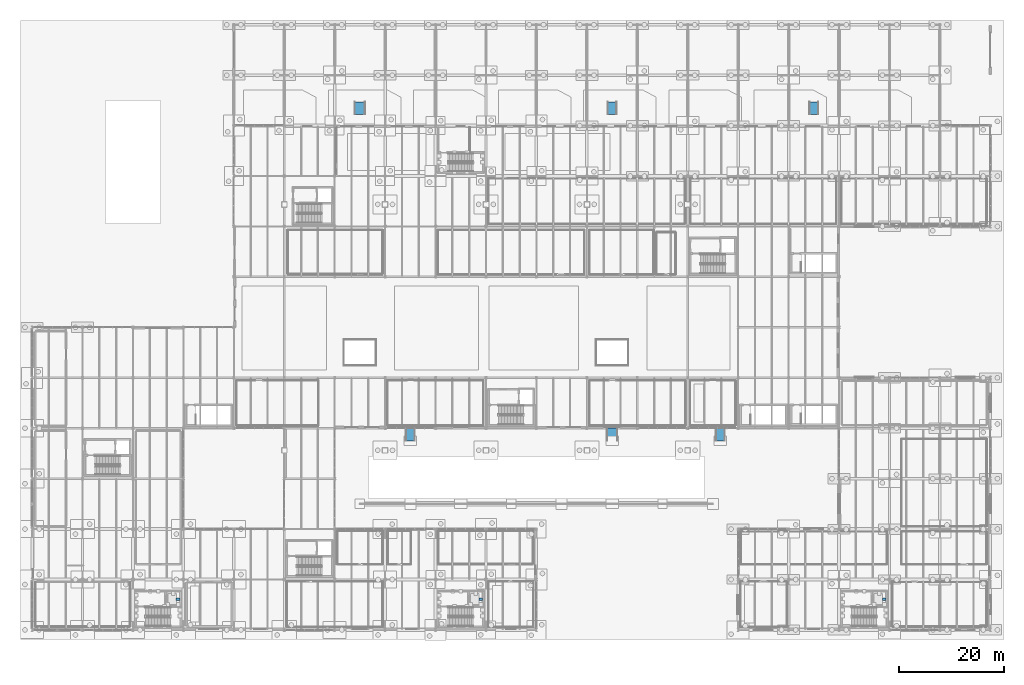
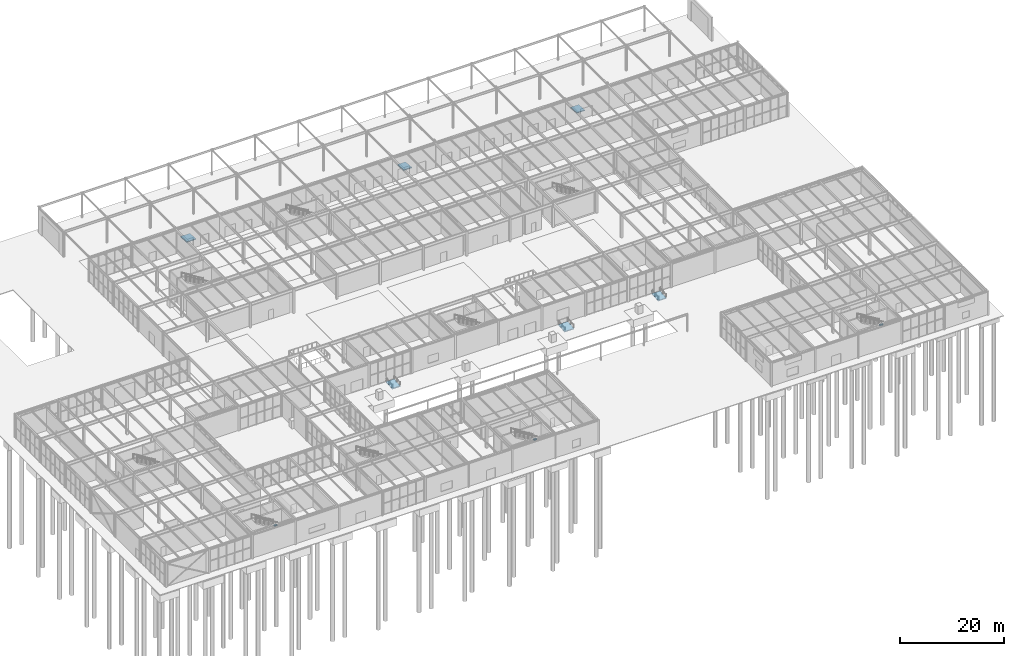
# One storey, part 127 of 142: 6 ramp flights, 3 discrete accessories, 6 elements without a shape of their own.
"""IFC4 building model written with IfcOpenShell, lengths in metres."""

from ifc_helpers import new_model, si_unit, direction, frame, origin, origin_2d, place, context, subcontext, project, spatial, polyline, rectangle, outline, extrude, material, layer, layer_set, type_object, element, aggregate, save


model = new_model("IFC4")

# Units and contexts
model_context = context("Model", 3, precision=1e-05, world=origin(), true_north=direction((0.0, 1.0)))
body_context = subcontext(model_context, "Body", "Model", "MODEL_VIEW")
ifc_project = project(units=[si_unit("LENGTHUNIT", "METRE"), si_unit("AREAUNIT", "SQUARE_METRE"), si_unit("VOLUMEUNIT", "CUBIC_METRE"), si_unit("PLANEANGLEUNIT", "RADIAN"), si_unit("MASSUNIT", "GRAM", prefix="KILO")], contexts=[model_context])

# Site, building, storey
site_placement = place(None, origin())
site = spatial("IfcSite", under=ifc_project, at=site_placement, CompositionType="ELEMENT")
building_placement = place(site_placement, origin())
building = spatial("IfcBuilding", under=site, at=building_placement, Name="Coralgate Yard Interchange", CompositionType="ELEMENT")
storey_placement = place(building_placement, origin())
storey = spatial("IfcBuildingStorey", under=building, at=storey_placement, Name="L00", CompositionType="ELEMENT", Elevation=0.0)

# Ramp, ramp flight
ifc_material_1 = material(Name="Concrete C40/50", Category="concrete")
ramp_type_1 = type_object("IfcRampType", Name="RMP-ACC1", PredefinedType="STRAIGHT_RUN_RAMP", material=ifc_material_1)
ramp_1_placement = place(storey_placement, origin())
ramp_1 = element("IfcRamp", 1, at=ramp_1_placement, inside=storey, type_object=ramp_type_1, Name="South courtyard west accessible ramp", PredefinedType="STRAIGHT_RUN_RAMP")
ifc_layer_1 = layer(ifc_material_1, 0.219970703125)
ifc_layer_set_1 = layer_set([ifc_layer_1], Name="Concrete C40/50")
ramp_flight_type_1 = type_object("IfcRampFlightType", Name="RMF-ACC1", PredefinedType="STRAIGHT", material=ifc_layer_set_1)
ramp_flight_1_placement = place(storey_placement, frame((72.0, 36.0, -0.179931640625), z_axis=(0.0, 0.0, 1.0), x_axis=(0.0, 1.0, 0.0)))
ramp_flight_1 = element("IfcRampFlight", 2, at=ramp_flight_1_placement, type_object=ramp_flight_type_1, Name="South courtyard west accessible ramp flight", PredefinedType="STRAIGHT", context=body_context, shape_type="SweptSolid", body=[
    extrude(outline(polyline([(0.0, 0.0), (2.39990234375, 0.179931640625), (2.39990234375, -0.0400390625), (0.0, -0.219970703125), (0.0, 0.0)])), frame((0.0, 0.89990234375, 0.0), z_axis=(0.0, -1.0, 0.0), x_axis=(1.0, 0.0, 0.0)), (0.0, 0.0, 1.0), 1.800048828125),
])
aggregate(ramp_1, [ramp_flight_1])

ramp_2_placement = place(storey_placement, origin())
ramp_2 = element("IfcRamp", 3, at=ramp_2_placement, inside=storey, type_object=ramp_type_1, Name="South courtyard east accessible ramp", PredefinedType="STRAIGHT_RUN_RAMP")
ramp_flight_2_placement = place(storey_placement, frame((131.0, 36.0, -0.179931640625), z_axis=(0.0, 0.0, 1.0), x_axis=(0.0, 1.0, 0.0)))
ramp_flight_2 = element("IfcRampFlight", 4, at=ramp_flight_2_placement, type_object=ramp_flight_type_1, Name="South courtyard east accessible ramp flight", PredefinedType="STRAIGHT", context=body_context, shape_type="SweptSolid", body=[
    extrude(outline(polyline([(0.0, 0.0), (2.39990234375, 0.179931640625), (2.39990234375, -0.0400390625), (0.0, -0.219970703125), (0.0, 0.0)])), frame((0.0, 0.89990234375, 0.0), z_axis=(0.0, -1.0, 0.0), x_axis=(1.0, 0.0, 0.0)), (0.0, 0.0, 1.0), 1.800048828125),
])
aggregate(ramp_2, [ramp_flight_2])

ramp_3_placement = place(storey_placement, origin())
ramp_3 = element("IfcRamp", 5, at=ramp_3_placement, inside=storey, type_object=ramp_type_1, Name="Bus island central accessible ramp", PredefinedType="STRAIGHT_RUN_RAMP")
ramp_flight_3_placement = place(storey_placement, frame((110.39990234375, 100.5, -0.179931640625), z_axis=(0.0, 0.0, 1.0), x_axis=(0.0, -1.0, 0.0)))
ramp_flight_3 = element("IfcRampFlight", 6, at=ramp_flight_3_placement, type_object=ramp_flight_type_1, Name="Bus island central accessible ramp flight", PredefinedType="STRAIGHT", context=body_context, shape_type="SweptSolid", body=[
    extrude(outline(polyline([(0.0, 0.0), (2.39990234375, 0.179931640625), (2.39990234375, -0.0400390625), (0.0, -0.219970703125), (0.0, 0.0)])), frame((0.0, 0.89990234375, 0.0), z_axis=(0.0, -1.0, 0.0), x_axis=(1.0, 0.0, 0.0)), (0.0, 0.0, 1.0), 1.800048828125),
])
aggregate(ramp_3, [ramp_flight_3])

ramp_4_placement = place(storey_placement, origin())
ramp_4 = element("IfcRamp", 7, at=ramp_4_placement, inside=storey, type_object=ramp_type_1, Name="Bus island east accessible ramp", PredefinedType="STRAIGHT_RUN_RAMP")
ramp_flight_4_placement = place(storey_placement, frame((148.800048828125, 100.5, -0.179931640625), z_axis=(0.0, 0.0, 1.0), x_axis=(0.0, -1.0, 0.0)))
ramp_flight_4 = element("IfcRampFlight", 8, at=ramp_flight_4_placement, type_object=ramp_flight_type_1, Name="Bus island east accessible ramp flight", PredefinedType="STRAIGHT", context=body_context, shape_type="SweptSolid", body=[
    extrude(outline(polyline([(0.0, 0.0), (2.39990234375, 0.179931640625), (2.39990234375, -0.0400390625), (0.0, -0.219970703125), (0.0, 0.0)])), frame((0.0, 0.89990234375, 0.0), z_axis=(0.0, -1.0, 0.0), x_axis=(1.0, 0.0, 0.0)), (0.0, 0.0, 1.0), 1.800048828125),
])
aggregate(ramp_4, [ramp_flight_4])

ramp_type_2 = type_object("IfcRampType", Name="RMP-ACC2", PredefinedType="STRAIGHT_RUN_RAMP", material=ifc_material_1)
ramp_5_placement = place(storey_placement, origin())
ramp_5 = element("IfcRamp", 9, at=ramp_5_placement, inside=storey, type_object=ramp_type_2, Name="South courtyard central accessible ramp", PredefinedType="STRAIGHT_RUN_RAMP")
ifc_layer_2 = layer(ifc_material_1, 0.239990234375)
ifc_layer_set_2 = layer_set([ifc_layer_2], Name="Concrete C40/50")
ramp_flight_type_2 = type_object("IfcRampFlightType", Name="RMF-ACC2", PredefinedType="STRAIGHT", material=ifc_layer_set_2)
ramp_flight_5_placement = place(storey_placement, frame((110.39990234375, 36.0, -0.179931640625), z_axis=(0.0, 0.0, 1.0), x_axis=(0.0, 1.0, 0.0)))
ramp_flight_5 = element("IfcRampFlight", 10, at=ramp_flight_5_placement, type_object=ramp_flight_type_2, Name="South courtyard central accessible ramp flight", PredefinedType="STRAIGHT", context=body_context, shape_type="SweptSolid", body=[
    extrude(outline(polyline([(0.0, 0.0), (2.39990234375, 0.179931640625), (2.39990234375, -0.0400390625), (0.0, -0.219970703125), (0.0, 0.0)])), frame((0.0, 1.050048828125, 0.0), z_axis=(0.0, -1.0, 0.0), x_axis=(1.0, 0.0, 0.0)), (0.0, 0.0, 1.0), 2.10009765625),
])
aggregate(ramp_5, [ramp_flight_5])

ramp_6_placement = place(storey_placement, origin())
ramp_6 = element("IfcRamp", 11, at=ramp_6_placement, inside=storey, type_object=ramp_type_2, Name="Bus island west accessible ramp", PredefinedType="STRAIGHT_RUN_RAMP")
ramp_flight_6_placement = place(storey_placement, frame((62.39990234375, 100.5, -0.179931640625), z_axis=(0.0, 0.0, 1.0), x_axis=(0.0, -1.0, 0.0)))
ramp_flight_6 = element("IfcRampFlight", 12, at=ramp_flight_6_placement, type_object=ramp_flight_type_2, Name="Bus island west accessible ramp flight", PredefinedType="STRAIGHT", context=body_context, shape_type="SweptSolid", body=[
    extrude(outline(polyline([(0.0, 0.0), (2.39990234375, 0.179931640625), (2.39990234375, -0.0400390625), (0.0, -0.219970703125), (0.0, 0.0)])), frame((0.0, 1.050048828125, 0.0), z_axis=(0.0, -1.0, 0.0), x_axis=(1.0, 0.0, 0.0)), (0.0, 0.0, 1.0), 2.10009765625),
])
aggregate(ramp_6, [ramp_flight_6])

# Discrete accessories
ifc_material_2 = material(Name="Structural steel S355J2", Category="steel")
discrete_accessory_type = type_object("IfcDiscreteAccessoryType", Name="ACC-BRK", PredefinedType="BRACKET", material=ifc_material_2)
for number, where, z_axis, x_axis, name in (
    (13, (27.780029296875, 5.85009765625, 1.074951171875), (0.0, 0.0, 1.0), (1.0, 0.0, 0.0), "LF-01 guide-rail support bracket"),
    (14, (85.3798828125, 5.85009765625, 1.074951171875), (0.0, 0.0, 1.0), (1.0, 0.0, 0.0), "LF-02 guide-rail support bracket"),
    (15, (162.179931640625, 5.85009765625, 1.074951171875), (0.0, 0.0, 1.0), (1.0, 0.0, 0.0), "LF-06 guide-rail support bracket"),
):
    element("IfcDiscreteAccessory", number, at=place(storey_placement, frame(where, z_axis=z_axis, x_axis=x_axis)), inside=storey, type_object=discrete_accessory_type, Name=name, PredefinedType="BRACKET", context=body_context, shape_type="SweptSolid", body=[
        extrude(rectangle(XDim=0.679931640625, YDim=0.39990234375, at=origin_2d()), origin(), (0.0, 0.0, 1.0), 0.25),
    ])

save(model, "model.ifc")
